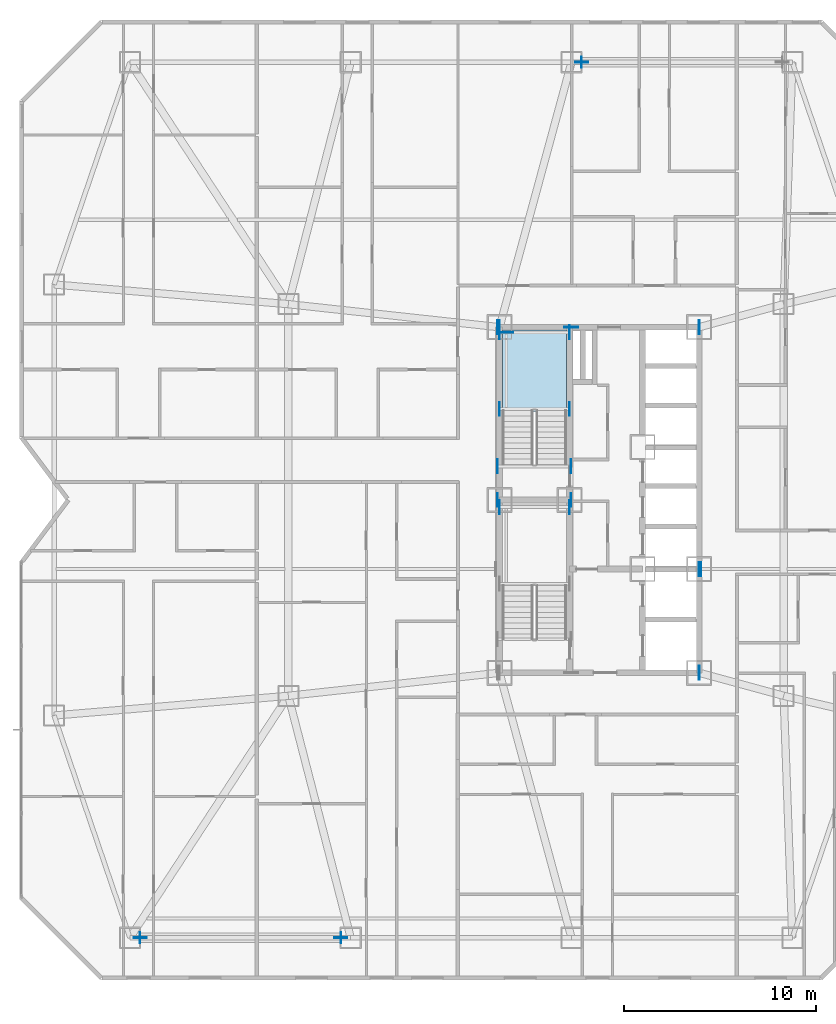
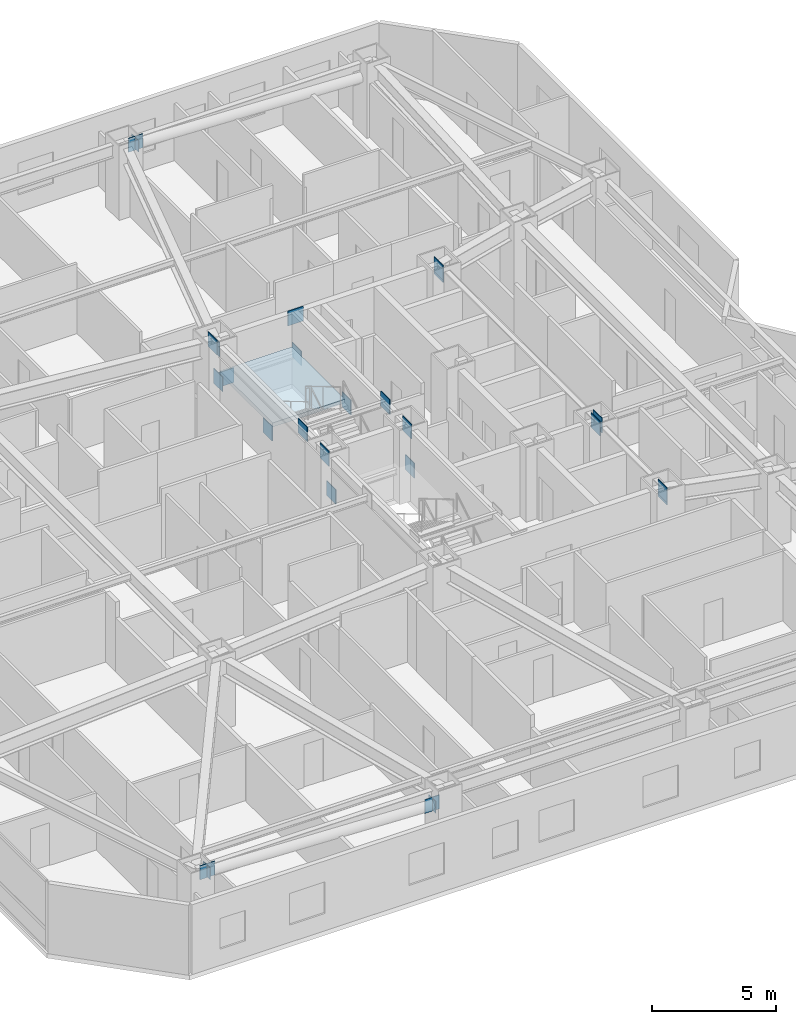
# One storey, part 9 of 18: 26 plates, 1 slab, 1 element without a shape of its own.
"""IFC4 building model written with IfcOpenShell, lengths in metres."""

from ifc_helpers import new_model, si_unit, direction, frame, origin, origin_2d, place, context, subcontext, project, spatial, polyline, rectangle, outline, extrude, material, layer, layer_set, type_object, element, aggregate, save


model = new_model("IFC4")

# Units and contexts
model_context = context("Model", 3, precision=1e-05, world=origin(), true_north=direction((0.0, 1.0)))
body_context = subcontext(model_context, "Body", "Model", "MODEL_VIEW")
ifc_project = project(units=[si_unit("LENGTHUNIT", "METRE"), si_unit("AREAUNIT", "SQUARE_METRE"), si_unit("VOLUMEUNIT", "CUBIC_METRE"), si_unit("PLANEANGLEUNIT", "RADIAN"), si_unit("MASSUNIT", "GRAM", prefix="KILO")], contexts=[model_context])

# Site, building, storey
site_placement = place(None, origin())
site = spatial("IfcSite", under=ifc_project, at=site_placement, CompositionType="ELEMENT")
building_placement = place(site_placement, origin())
building = spatial("IfcBuilding", under=site, at=building_placement, Name="Khamvora Tower", CompositionType="ELEMENT")
storey_placement = place(building_placement, frame((0.0, 0.0, 69.800048828125)))
storey = spatial("IfcBuildingStorey", under=building, at=storey_placement, Name="L17", CompositionType="ELEMENT", Elevation=69.800048828125)

# Plates
ifc_material_1 = material(Name="Steel S355", Category="steel")
ifc_layer_1 = layer(ifc_material_1, 0.02490234375)
ifc_layer_set_1 = layer_set([ifc_layer_1], Name="Steel S355")
plate_type_1 = type_object("IfcPlateType", Name="PL-CAP-25", PredefinedType="SHEET", material=ifc_layer_set_1)
for number, where, z_axis, x_axis, name in (
    (1, (20.73193359375, 5.199951171875, 2.416015625), (0.0, 0.0, 1.0), (-1.0, 0.0, 0.0), "L17 hollow section steel end cap plate 0596"),
    (2, (10.26806640625, 5.199951171875, 2.81787109375), (0.0, 0.0, 1.0), (-1.0, 0.0, 0.0), "L17 hollow section steel end cap plate 0597"),
    (3, (33.26806640625, 50.800048828125, 2.81787109375), (0.0, 0.0, 1.0), (-1.0, 0.0, 0.0), "L17 hollow section steel end cap plate 0599"),
):
    element("IfcPlate", number, at=place(storey_placement, frame(where, z_axis=z_axis, x_axis=x_axis)), inside=storey, type_object=plate_type_1, Name=name, PredefinedType="SHEET", context=body_context, shape_type="SweptSolid", body=[
        extrude(rectangle(XDim=0.02490234375, YDim=0.568115234375, at=origin_2d()), origin(), (0.0, 0.0, 1.0), 0.568115234375),
    ])
ifc_material_2 = material(Name="Steel S460", Category="steel")
ifc_layer_2 = layer(ifc_material_2, 0.034912109375)
ifc_layer_set_2 = layer_set([ifc_layer_2], Name="Steel S460")
plate_type_2 = type_object("IfcPlateType", Name="PL-EMB-35", PredefinedType="SHEET", material=ifc_layer_set_2)
for number, where, z_axis, x_axis, name in (
    (4, (29.0, 27.6298828125, 1.1337890625), (0.0, 0.0, 1.0), (1.0, 0.0, 0.0), "L17 core shear wall cast-in embed plate 0508"),
    (5, (32.64990234375, 27.6298828125, 1.1337890625), (0.0, 0.0, 1.0), (1.0, 0.0, 0.0), "L17 core shear wall cast-in embed plate 0509"),
    (6, (29.0, 32.735107421875, 1.1337890625), (0.0, 0.0, 1.0), (1.0, 0.0, 0.0), "L17 core shear wall cast-in embed plate 0510"),
    (7, (32.64990234375, 32.735107421875, 1.1337890625), (0.0, 0.0, 1.0), (1.0, 0.0, 0.0), "L17 core shear wall cast-in embed plate 0511"),
    (8, (29.0, 36.72998046875, 1.1337890625), (0.0, 0.0, 1.0), (1.0, 0.0, 0.0), "L17 core shear wall cast-in embed plate 0512"),
    (9, (32.64990234375, 36.72998046875, 1.1337890625), (0.0, 0.0, 1.0), (1.0, 0.0, 0.0), "L17 core shear wall cast-in embed plate 0513"),
):
    element("IfcPlate", number, at=place(storey_placement, frame(where, z_axis=z_axis, x_axis=x_axis)), inside=storey, type_object=plate_type_2, Name=name, PredefinedType="SHEET", context=body_context, shape_type="SweptSolid", body=[
        extrude(rectangle(XDim=0.034912109375, YDim=0.719970703125, at=origin_2d()), origin(), (0.0, 0.0, 1.0), 0.719970703125),
    ])
plate_1_placement = place(storey_placement, frame((29.35009765625, 36.72998046875, 1.1337890625), z_axis=(0.0, 0.0, 1.0), x_axis=(1.0, 0.0, 0.0)))
element("IfcPlate", 10, at=plate_1_placement, inside=storey, type_object=plate_type_2, Name="L17 core shear wall cast-in embed plate 0514", PredefinedType="SHEET", context=body_context, shape_type="SweptSolid", body=[
    extrude(rectangle(XDim=0.719970703125, YDim=0.034912109375, at=origin_2d()), origin(), (0.0, 0.0, 1.0), 0.719970703125),
])
for number, where, z_axis, x_axis, name in (
    (11, (29.0, 37.0, 2.68408203125), (0.0, 0.0, 1.0), (1.0, 0.0, 0.0), "L17 core shear wall cast-in embed plate 0516"),
    (12, (39.39990234375, 19.0, 2.68408203125), (0.0, 0.0, 1.0), (1.0, 0.0, 0.0), "L17 core shear wall cast-in embed plate 0517"),
    (13, (39.39990234375, 37.0, 2.68408203125), (0.0, 0.0, 1.0), (1.0, 0.0, 0.0), "L17 core shear wall cast-in embed plate 0518"),
    (14, (28.89990234375, 28.0, 2.80419921875), (0.0, 0.0, 1.0), (1.0, 0.0, 0.0), "L17 core shear wall cast-in embed plate 0520"),
    (15, (28.89990234375, 37.0, 2.80419921875), (0.0, 0.0, 1.0), (1.0, 0.0, 0.0), "L17 core shear wall cast-in embed plate 0521"),
    (16, (32.72998046875, 28.0, 2.80419921875), (0.0, 0.0, 1.0), (1.0, 0.0, 0.0), "L17 core shear wall cast-in embed plate 0523"),
):
    element("IfcPlate", number, at=place(storey_placement, frame(where, z_axis=z_axis, x_axis=x_axis)), inside=storey, type_object=plate_type_2, Name=name, PredefinedType="SHEET", context=body_context, shape_type="SweptSolid", body=[
        extrude(rectangle(XDim=0.034912109375, YDim=0.719970703125, at=origin_2d()), origin(), (0.0, 0.0, 1.0), 0.719970703125),
    ])
plate_2_placement = place(storey_placement, frame((32.72998046875, 37.0, 2.80419921875), z_axis=(0.0, 0.0, 1.0), x_axis=(1.0, 0.0, 0.0)))
element("IfcPlate", 17, at=plate_2_placement, inside=storey, type_object=plate_type_2, Name="L17 core shear wall cast-in embed plate 0524", PredefinedType="SHEET", context=body_context, shape_type="SweptSolid", body=[
    extrude(rectangle(XDim=0.719970703125, YDim=0.034912109375, at=origin_2d()), origin(), (0.0, 0.0, 1.0), 0.719970703125),
])
for number, where, z_axis, x_axis, name in (
    (18, (39.39990234375, 19.0, 2.80419921875), (0.0, 0.0, 1.0), (1.0, 0.0, 0.0), "L17 core shear wall cast-in embed plate 0525"),
    (19, (39.39990234375, 24.39990234375, 2.80419921875), (0.0, 0.0, 1.0), (1.0, 0.0, 0.0), "L17 core shear wall cast-in embed plate 0526"),
    (20, (39.39990234375, 37.0, 2.80419921875), (0.0, 0.0, 1.0), (1.0, 0.0, 0.0), "L17 core shear wall cast-in embed plate 0527"),
    (21, (28.89990234375, 29.75, 2.94384765625), (0.0, 0.0, 1.0), (1.0, 0.0, 0.0), "L17 core shear wall cast-in embed plate 0530"),
    (22, (32.72998046875, 29.75, 2.94384765625), (0.0, 0.0, 1.0), (1.0, 0.0, 0.0), "L17 core shear wall cast-in embed plate 0531"),
    (23, (39.4990234375, 24.39990234375, 2.9140625), (0.0, 0.0, 1.0), (1.0, 0.0, 0.0), "L17 core shear wall cast-in embed plate 0533"),
):
    element("IfcPlate", number, at=place(storey_placement, frame(where, z_axis=z_axis, x_axis=x_axis)), inside=storey, type_object=plate_type_2, Name=name, PredefinedType="SHEET", context=body_context, shape_type="SweptSolid", body=[
        extrude(rectangle(XDim=0.034912109375, YDim=0.719970703125, at=origin_2d()), origin(), (0.0, 0.0, 1.0), 0.719970703125),
    ])
ifc_layer_3 = layer(ifc_material_2, 0.0400390625)
ifc_layer_set_3 = layer_set([ifc_layer_3], Name="Steel S460")
plate_type_3 = type_object("IfcPlateType", Name="PLT-GUS-40", PredefinedType="SHEET", material=ifc_layer_set_3)
for number, where, z_axis, x_axis, name in (
    (24, (20.719970703125, 5.199951171875, 2.35986328125), (0.0, 0.0, 1.0), (1.0, 0.0, 0.0), "L17 brace connection node gusset plate 0113"),
    (25, (10.280029296875, 5.199951171875, 2.76220703125), (0.0, 0.0, 1.0), (1.0, 0.0, 0.0), "L17 brace connection node gusset plate 0114"),
    (26, (33.280029296875, 50.800048828125, 2.76220703125), (0.0, 0.0, 1.0), (1.0, 0.0, 0.0), "L17 brace connection node gusset plate 0116"),
):
    element("IfcPlate", number, at=place(storey_placement, frame(where, z_axis=z_axis, x_axis=x_axis)), inside=storey, type_object=plate_type_3, Name=name, PredefinedType="SHEET", context=body_context, shape_type="SweptSolid", body=[
        extrude(rectangle(XDim=0.679931640625, YDim=0.0400390625, at=origin_2d()), origin(), (0.0, 0.0, 1.0), 0.679931640625),
    ])

# Stair, slab
ifc_material_3 = material(Name="Concrete C40/50", Category="concrete")
stair_type = type_object("IfcStairType", Name="STR-ST-02", PredefinedType="HALF_TURN_STAIR", material=ifc_material_3)
stair_placement = place(storey_placement, origin())
stair = element("IfcStair", 27, at=stair_placement, inside=storey, type_object=stair_type, Name="L17 North Tower Exit Stair ST-02", PredefinedType="HALF_TURN_STAIR")
ifc_layer_4 = layer(ifc_material_3, 0.199951171875)
ifc_layer_set_4 = layer_set([ifc_layer_4], Name="Concrete C40/50")
slab_type = type_object("IfcSlabType", Name="SLB-LND-200", PredefinedType="LANDING", material=ifc_layer_set_4)
slab_placement = place(storey_placement, frame((0.0, 0.0, 1.625)))
slab = element("IfcSlab", 28, at=slab_placement, type_object=slab_type, Name="ST-02 landing 1", PredefinedType="LANDING", context=body_context, shape_type="SweptSolid", body=[
    extrude(outline(polyline([(32.5, 32.614990234375), (32.5, 36.85009765625), (29.14990234375, 36.85009765625), (29.14990234375, 32.614990234375), (32.5, 32.614990234375)])), origin(), (0.0, 0.0, 1.0), 0.199951171875),
])
aggregate(stair, [slab])

save(model, "model.ifc")
